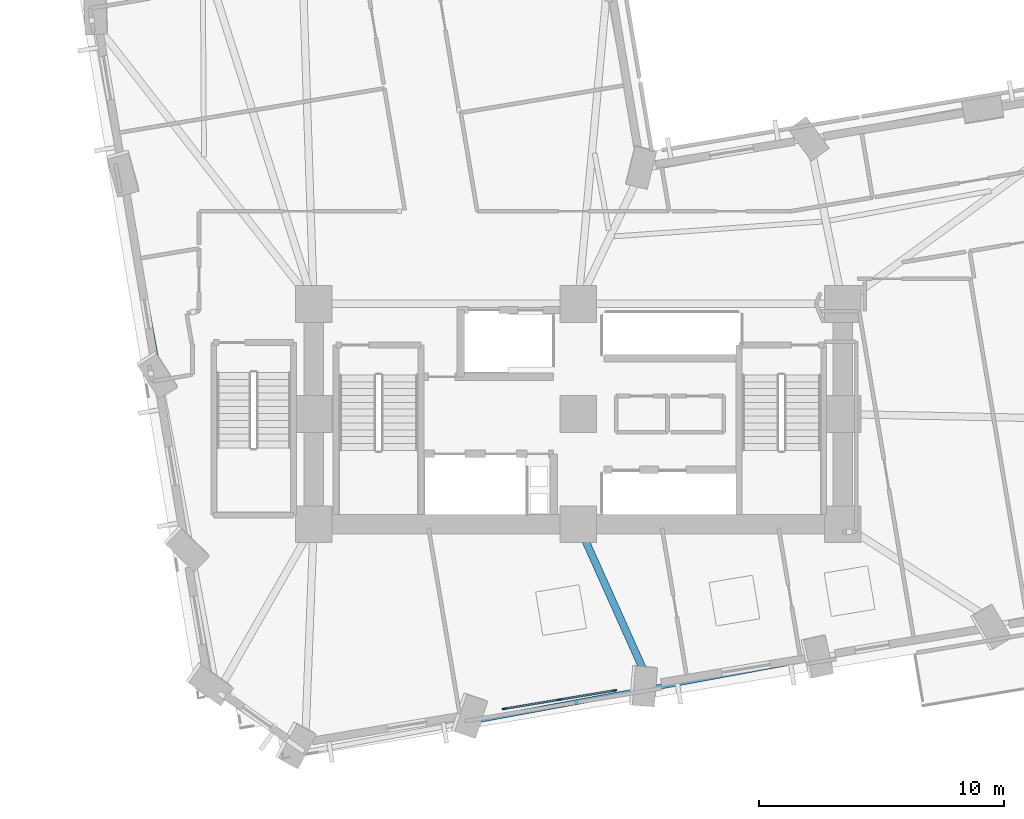
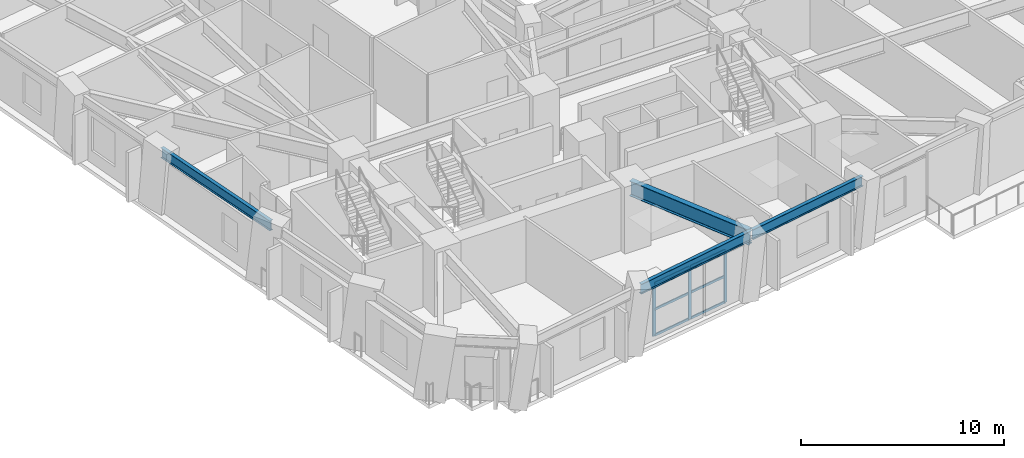
# One storey, part 2 of 16: 9 members, 4 beams, 1 element without a shape of its own.
"""IFC4 building model written with IfcOpenShell, lengths in metres."""

from ifc_helpers import new_model, si_unit, direction, frame, origin, origin_2d, place, context, subcontext, project, spatial, rectangle, i_section, extrude, material, material_profile, profile_set, type_object, element, aggregate, save


model = new_model("IFC4")

# Units and contexts
model_context = context("Model", 3, precision=1e-05, world=origin(), true_north=direction((0.0, 1.0)))
body_context = subcontext(model_context, "Body", "Model", "MODEL_VIEW")
ifc_project = project(units=[si_unit("LENGTHUNIT", "METRE"), si_unit("AREAUNIT", "SQUARE_METRE"), si_unit("VOLUMEUNIT", "CUBIC_METRE"), si_unit("PLANEANGLEUNIT", "RADIAN"), si_unit("MASSUNIT", "GRAM", prefix="KILO")], contexts=[model_context])

# Site, building, storey
site_placement = place(None, origin())
site = spatial("IfcSite", under=ifc_project, at=site_placement, CompositionType="ELEMENT")
building_placement = place(site_placement, origin())
building = spatial("IfcBuilding", under=site, at=building_placement, Name="Gaonmaruhae Medical Tower", CompositionType="ELEMENT")
storey_placement = place(building_placement, frame((0.0, 0.0, 63.0)))
storey = spatial("IfcBuildingStorey", under=building, at=storey_placement, Name="L14", CompositionType="ELEMENT", Elevation=63.0)

# Curtain wall, members
ifc_material_1 = material(Name="Anodised aluminium and Low-E double glazing", Category="aluminium")
curtain_wall_type = type_object("IfcCurtainWallType", Name="CW-S3 Spiralling Dayroom Ribbon Curtain Wall", PredefinedType="NOTDEFINED", material=ifc_material_1)
curtain_wall_placement = place(storey_placement, origin())
curtain_wall = element("IfcCurtainWall", 1, at=curtain_wall_placement, inside=storey, type_object=curtain_wall_type, Name="L14 Curtain Wall CW-L14-S02", PredefinedType="NOTDEFINED")
ifc_material_2 = material(Name="Anodised aluminium 6063-T6", Category="aluminium")
ifc_material_profile_1 = material_profile(ifc_material_2, rectangle(XDim=0.06494140625, YDim=0.179931640625, at=origin_2d()), Name="CWM-65x180")
ifc_profile_set_1 = profile_set([ifc_material_profile_1], Name="Anodised aluminium 6063-T6")
member_type_1 = type_object("IfcMemberType", Name="CWM-2 Tower Feature Curtain Wall Mullion (CWM-65x180)", PredefinedType="MULLION", material=ifc_profile_set_1)
member_1_placement = place(storey_placement, frame((26.282470703125, 1.01611328125, 0.0), z_axis=(0.0, 0.0, 1.0), x_axis=(0.165042121947, -0.986286519214, 0.0)))
member_1 = element("IfcMember", 2, at=member_1_placement, type_object=member_type_1, Name="CW-S3 mullion 1", PredefinedType="MULLION", context=body_context, shape_type="SweptSolid", body=[
    extrude(rectangle(XDim=0.06494140625, YDim=0.179931640625, at=origin_2d()), origin(), (0.0, 0.0, 1.0), 3.1650390625),
])
member_2_placement = place(storey_placement, frame((24.0390625, 0.640625, 0.0), z_axis=(0.0, 0.0, 1.0), x_axis=(0.165042121947, -0.986286519214, 0.0)))
member_2 = element("IfcMember", 3, at=member_2_placement, type_object=member_type_1, Name="CW-S3 mullion 2", PredefinedType="MULLION", context=body_context, shape_type="SweptSolid", body=[
    extrude(rectangle(XDim=0.06494140625, YDim=0.179931640625, at=origin_2d()), origin(), (0.0, 0.0, 1.0), 3.1650390625),
])
member_3_placement = place(storey_placement, frame((21.7958984375, 0.265380859375, 0.0), z_axis=(0.0, 0.0, 1.0), x_axis=(0.165042121947, -0.986286519214, 0.0)))
member_3 = element("IfcMember", 4, at=member_3_placement, type_object=member_type_1, Name="CW-S3 mullion 3", PredefinedType="MULLION", context=body_context, shape_type="SweptSolid", body=[
    extrude(rectangle(XDim=0.06494140625, YDim=0.179931640625, at=origin_2d()), origin(), (0.0, 0.0, 1.0), 3.1650390625),
])
ifc_material_profile_2 = material_profile(ifc_material_2, rectangle(XDim=0.06494140625, YDim=0.139892578125, at=origin_2d()), Name="CWT-65x140")
ifc_profile_set_2 = profile_set([ifc_material_profile_2], Name="Anodised aluminium 6063-T6")
member_type_2 = type_object("IfcMemberType", Name="CWT-2 Tower Feature Curtain Wall Transom (CWT-65x140)", PredefinedType="USERDEFINED", material=ifc_profile_set_2)
member_4_placement = place(storey_placement, frame((26.25048828125, 1.0107421875, 0.032470703125), z_axis=(-0.986280207267, -0.165079837515, 0.0), x_axis=(0.165079837515, -0.986280207267, 0.0)))
member_4 = element("IfcMember", 5, at=member_4_placement, type_object=member_type_2, Name="CW-S3 transom 1.1", ObjectType="TRANSOM", PredefinedType="USERDEFINED", context=body_context, shape_type="SweptSolid", body=[
    extrude(rectangle(XDim=0.06494140625, YDim=0.139892578125, at=origin_2d()), origin(), (0.0, 0.0, 1.0), 2.20947265625),
])
member_5_placement = place(storey_placement, frame((26.25048828125, 1.0107421875, 1.58251953125), z_axis=(-0.986280207267, -0.165079837515, 0.0), x_axis=(0.165079837515, -0.986280207267, 0.0)))
member_5 = element("IfcMember", 6, at=member_5_placement, type_object=member_type_2, Name="CW-S3 transom 1.2", ObjectType="TRANSOM", PredefinedType="USERDEFINED", context=body_context, shape_type="SweptSolid", body=[
    extrude(rectangle(XDim=0.06494140625, YDim=0.139892578125, at=origin_2d()), origin(), (0.0, 0.0, 1.0), 2.20947265625),
])
member_6_placement = place(storey_placement, frame((26.25048828125, 1.0107421875, 3.132568359375), z_axis=(-0.986280207267, -0.165079837515, 0.0), x_axis=(0.165079837515, -0.986280207267, 0.0)))
member_6 = element("IfcMember", 7, at=member_6_placement, type_object=member_type_2, Name="CW-S3 transom 1.3", ObjectType="TRANSOM", PredefinedType="USERDEFINED", context=body_context, shape_type="SweptSolid", body=[
    extrude(rectangle(XDim=0.06494140625, YDim=0.139892578125, at=origin_2d()), origin(), (0.0, 0.0, 1.0), 2.20947265625),
])
member_7_placement = place(storey_placement, frame((24.007080078125, 0.63525390625, 0.032470703125), z_axis=(-0.986280207267, -0.165079837515, 0.0), x_axis=(0.165079837515, -0.986280207267, 0.0)))
member_7 = element("IfcMember", 8, at=member_7_placement, type_object=member_type_2, Name="CW-S3 transom 2.1", ObjectType="TRANSOM", PredefinedType="USERDEFINED", context=body_context, shape_type="SweptSolid", body=[
    extrude(rectangle(XDim=0.06494140625, YDim=0.139892578125, at=origin_2d()), origin(), (0.0, 0.0, 1.0), 2.20947265625),
])
member_8_placement = place(storey_placement, frame((24.007080078125, 0.63525390625, 1.58251953125), z_axis=(-0.986280207267, -0.165079837515, 0.0), x_axis=(0.165079837515, -0.986280207267, 0.0)))
member_8 = element("IfcMember", 9, at=member_8_placement, type_object=member_type_2, Name="CW-S3 transom 2.2", ObjectType="TRANSOM", PredefinedType="USERDEFINED", context=body_context, shape_type="SweptSolid", body=[
    extrude(rectangle(XDim=0.06494140625, YDim=0.139892578125, at=origin_2d()), origin(), (0.0, 0.0, 1.0), 2.20947265625),
])
member_9_placement = place(storey_placement, frame((24.007080078125, 0.63525390625, 3.132568359375), z_axis=(-0.986280207267, -0.165079837515, 0.0), x_axis=(0.165079837515, -0.986280207267, 0.0)))
member_9 = element("IfcMember", 10, at=member_9_placement, type_object=member_type_2, Name="CW-S3 transom 2.3", ObjectType="TRANSOM", PredefinedType="USERDEFINED", context=body_context, shape_type="SweptSolid", body=[
    extrude(rectangle(XDim=0.06494140625, YDim=0.139892578125, at=origin_2d()), origin(), (0.0, 0.0, 1.0), 2.20947265625),
])
aggregate(curtain_wall, [member_1, member_2, member_3, member_4, member_5, member_6, member_7, member_8, member_9])

# Beams
ifc_material_3 = material(Name="Steel SM420", Category="steel")
ifc_material_profile_3 = material_profile(ifc_material_3, i_section(OverallWidth=0.300048828125, OverallDepth=0.89990234375, WebThickness=0.01611328125, FlangeThickness=0.028076171875, FilletRadius=0.01806640625, at=origin_2d()), Name="H-900x300x16x28")
ifc_profile_set_3 = profile_set([ifc_material_profile_3], Name="Steel SM420")
beam_type_1 = type_object("IfcBeamType", Name="PG-01 Zone 1 Radial Floor Girder (H-900x300x16x28)", PredefinedType="BEAM", material=ifc_profile_set_3)
beam_1_placement = place(storey_placement, frame((24.820556640625, 7.75439453125, 3.330078125), z_axis=(0.409084963767, -0.912496297209, 0.0), x_axis=(0.912496297209, 0.409084963767, 0.0)))
element("IfcBeam", 11, at=beam_1_placement, inside=storey, type_object=beam_type_1, Name="L14 Radial Primary Girder S03", PredefinedType="BEAM", context=body_context, shape_type="SweptSolid", body=[
    extrude(i_section(OverallWidth=0.300048828125, OverallDepth=0.89990234375, WebThickness=0.01611328125, FlangeThickness=0.028076171875, FilletRadius=0.01806640625, at=origin_2d()), origin(), (0.0, 0.0, 1.0), 7.23681640625),
])
ifc_material_4 = material(Name="Steel SM355", Category="steel")
ifc_material_profile_4 = material_profile(ifc_material_4, i_section(OverallWidth=0.199951171875, OverallDepth=0.60009765625, WebThickness=0.010986328125, FlangeThickness=0.01708984375, FilletRadius=0.012939453125, at=origin_2d()), Name="H-600x200x11x17")
ifc_profile_set_4 = profile_set([ifc_material_profile_4], Name="Steel SM355")
beam_type_2 = type_object("IfcBeamType", Name="SP-01 Lower Perimeter Spandrel Beam (H-600x200x11x17)", PredefinedType="SPANDREL", material=ifc_profile_set_4)
for number, where, z_axis, x_axis, name in (
    (12, (20.76025390625, -0.193359375, 3.47998046875), (0.983417479222, 0.181356173208, 0.0), (-0.181356173208, 0.983417479222, 0.0), "L14 Perimeter Spandrel Beam S02-S03"),
    (13, (27.8408203125, 1.112548828125, 3.47998046875), (0.983411363242, 0.181389334433, 0.0), (-0.181389334433, 0.983411363242, 0.0), "L14 Perimeter Spandrel Beam S03-S04"),
):
    element("IfcBeam", number, at=place(storey_placement, frame(where, z_axis=z_axis, x_axis=x_axis)), inside=storey, type_object=beam_type_2, Name=name, PredefinedType="SPANDREL", context=body_context, shape_type="SweptSolid", body=[
        extrude(i_section(OverallWidth=0.199951171875, OverallDepth=0.60009765625, WebThickness=0.010986328125, FlangeThickness=0.01708984375, FilletRadius=0.012939453125, at=origin_2d()), origin(), (0.0, 0.0, 1.0), 7.1201171875),
    ])
beam_2_placement = place(storey_placement, frame((6.2587890625, 21.699462890625, 3.47998046875), z_axis=(0.181378822296, -0.983413302138, 0.0), x_axis=(0.983413302138, 0.181378822296, 0.0)))
element("IfcBeam", 14, at=beam_2_placement, inside=storey, type_object=beam_type_2, Name="L14 Perimeter Spandrel Beam W04-W05", PredefinedType="SPANDREL", context=body_context, shape_type="SweptSolid", body=[
    extrude(i_section(OverallWidth=0.199951171875, OverallDepth=0.60009765625, WebThickness=0.010986328125, FlangeThickness=0.01708984375, FilletRadius=0.012939453125, at=origin_2d()), origin(), (0.0, 0.0, 1.0), 8.27001953125),
])

save(model, "model.ifc")
